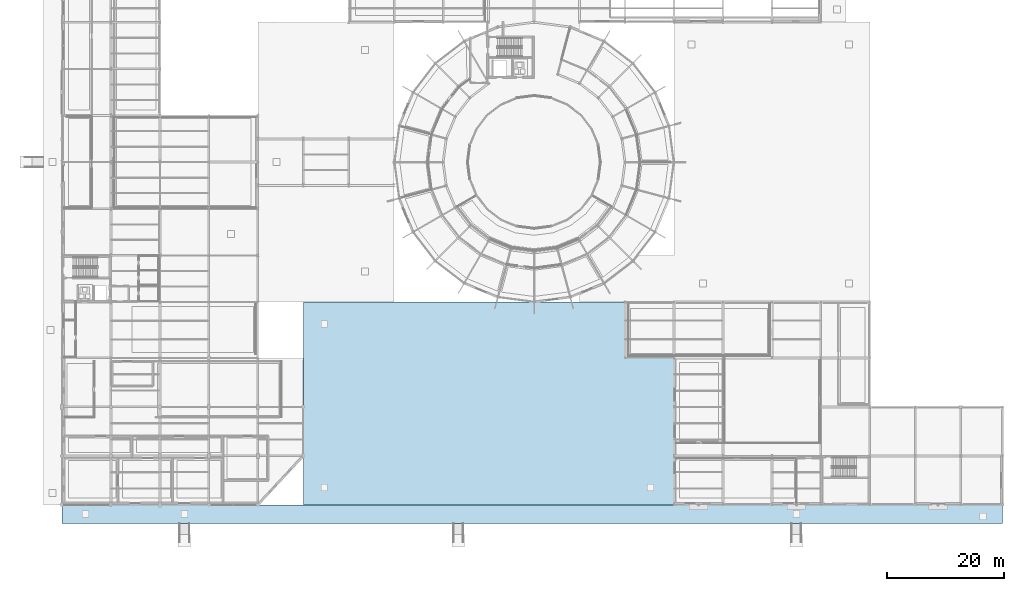
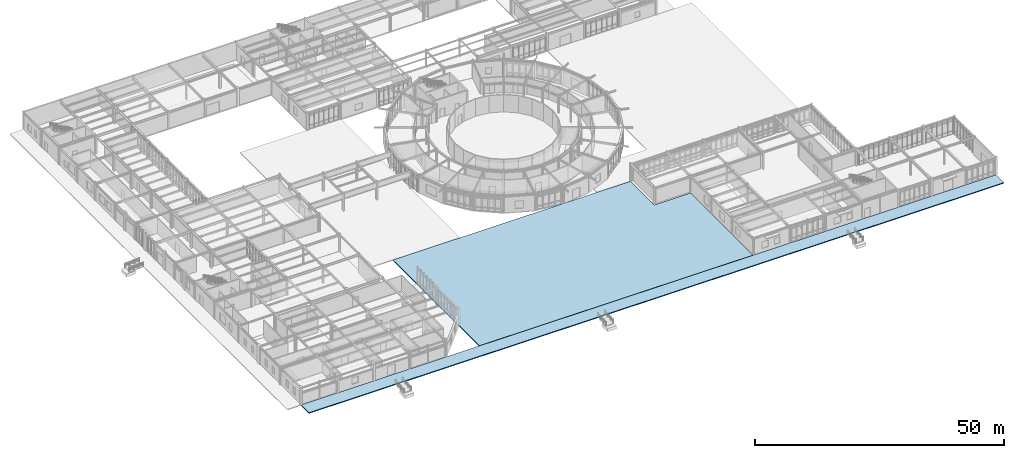
# One storey, part 62 of 101: 2 slabs.
"""IFC4 building model written with IfcOpenShell, lengths in metres."""

from ifc_helpers import new_model, si_unit, derived_unit, direction, frame, origin, place, context, subcontext, project, spatial, polyline, outline, extrude, material, layer, layer_set, type_object, element, save


model = new_model("IFC4")

# Units and contexts
model_context = context("Model", 3, precision=1e-05, world=origin(), true_north=direction((0.0, 1.0)))
body_context = subcontext(model_context, "Body", "Model", "MODEL_VIEW")
ifc_project = project(units=[si_unit("LENGTHUNIT", "METRE"), si_unit("AREAUNIT", "SQUARE_METRE"), si_unit("VOLUMEUNIT", "CUBIC_METRE"), si_unit("PLANEANGLEUNIT", "RADIAN"), si_unit("MASSUNIT", "GRAM", prefix="KILO"), derived_unit("THERMALTRANSMITTANCEUNIT", [(si_unit("POWERUNIT", "WATT"), 1), (si_unit("AREAUNIT", "SQUARE_METRE"), -1), (si_unit("THERMODYNAMICTEMPERATUREUNIT", "KELVIN"), -1)])], contexts=[model_context])

# Site, building, storey
site_placement = place(None, origin())
site = spatial("IfcSite", under=ifc_project, at=site_placement, CompositionType="ELEMENT")
building_placement = place(site_placement, origin())
building = spatial("IfcBuilding", under=site, at=building_placement, Name="Yasenodar Specialist Clinic", CompositionType="ELEMENT")
storey_placement = place(building_placement, origin())
storey = spatial("IfcBuildingStorey", under=building, at=storey_placement, Name="L00", CompositionType="ELEMENT", Elevation=0.0)

# Slabs
ifc_material = material(Name="Concrete C30/37", Category="concrete")
ifc_layer = layer(ifc_material, 0.2099609375)
ifc_layer_set = layer_set([ifc_layer], Name="Concrete C30/37")
slab_type = type_object("IfcSlabType", Name="SLB-APRON-210", PredefinedType="FLOOR", material=ifc_layer_set)
slab_1_placement = place(storey_placement, frame((0.0, 0.0, -0.2099609375)))
element("IfcSlab", 1, at=slab_1_placement, inside=storey, type_object=slab_type, Name="South Fire-Appliance Lane Apron", PredefinedType="FLOOR", context=body_context, shape_type="SweptSolid", body=[
    extrude(outline(polyline([(161.39990234375, -3.199951171875), (0.0, -3.199951171875), (0.0, -0.014892578125), (161.39990234375, -0.014892578125), (161.39990234375, -3.199951171875)])), origin(), (0.0, 0.0, 1.0), 0.2099609375),
])
slab_2_placement = place(storey_placement, frame((0.0, 0.0, -0.2099609375)))
element("IfcSlab", 2, at=slab_2_placement, inside=storey, type_object=slab_type, Name="South Drum Garden Terrace Paving", PredefinedType="FLOOR", context=body_context, shape_type="SweptSolid", body=[
    extrude(outline(polyline([(41.39990234375, 0.0), (41.4150390625, 8.39404296875), (41.39990234375, 34.784912109375), (96.5849609375, 34.787353515625), (96.5849609375, 25.18505859375), (104.985107421875, 25.18505859375), (104.985107421875, 0.0), (41.39990234375, 0.0)])), origin(), (0.0, 0.0, 1.0), 0.2099609375),
])

save(model, "model.ifc")
